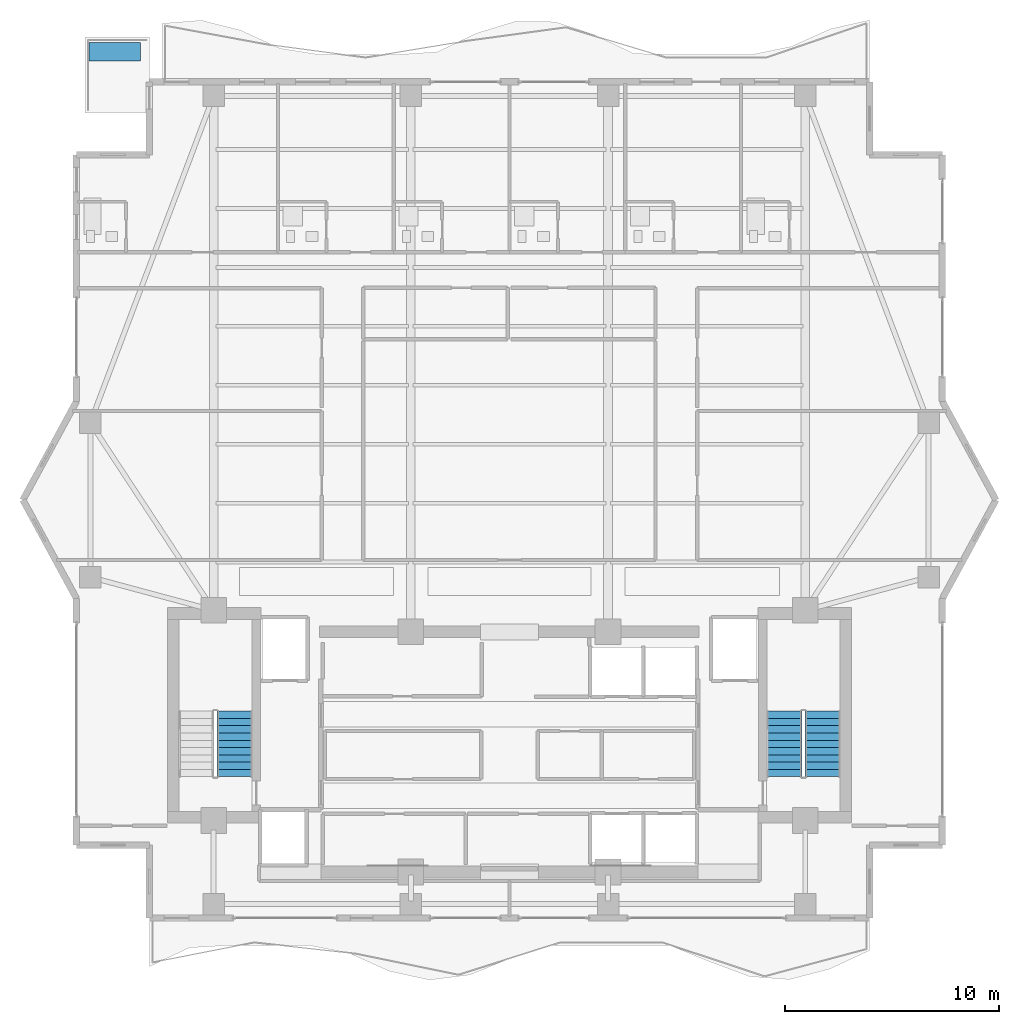
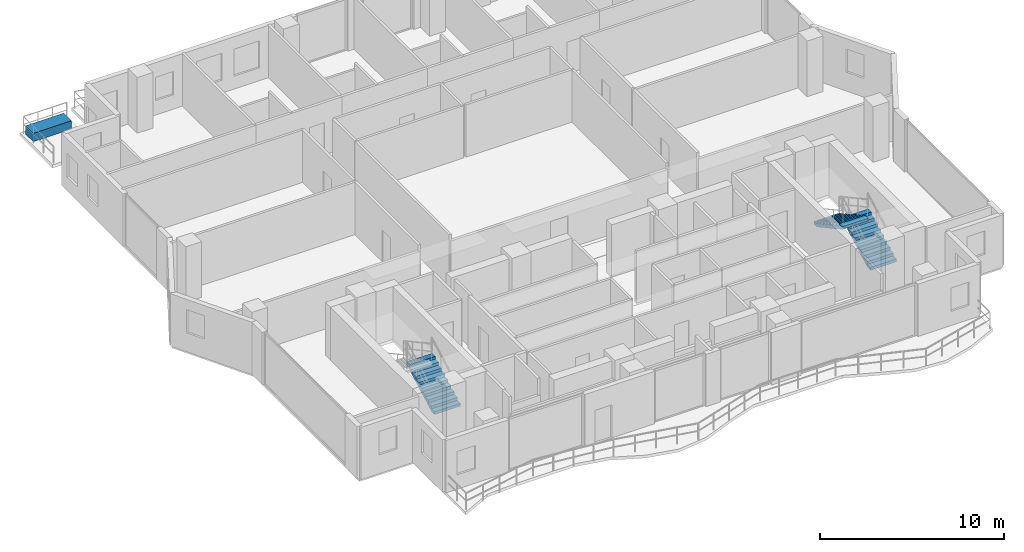
# One storey, part 21 of 24: 3 stair flights, 1 building element part, 2 elements without a shape of their own.
"""IFC4 building model written with IfcOpenShell, lengths in metres."""

from ifc_helpers import new_model, si_unit, direction, frame, origin, origin_2d, place, context, subcontext, project, spatial, polyline, rectangle, outline, extrude, material, layer, layer_set, type_object, element, aggregate, save


model = new_model("IFC4")

# Units and contexts
model_context = context("Model", 3, precision=1e-05, world=origin(), true_north=direction((0.0, 1.0)))
body_context = subcontext(model_context, "Body", "Model", "MODEL_VIEW")
ifc_project = project(units=[si_unit("LENGTHUNIT", "METRE"), si_unit("AREAUNIT", "SQUARE_METRE"), si_unit("VOLUMEUNIT", "CUBIC_METRE"), si_unit("PLANEANGLEUNIT", "RADIAN"), si_unit("MASSUNIT", "GRAM", prefix="KILO")], contexts=[model_context])

# Site, building, storey
site_placement = place(None, origin())
site = spatial("IfcSite", under=ifc_project, at=site_placement, CompositionType="ELEMENT")
building_placement = place(site_placement, origin())
building = spatial("IfcBuilding", under=site, at=building_placement, Name="Zuhayl Quay Hotel", CompositionType="ELEMENT")
storey_placement = place(building_placement, frame((0.0, 0.0, 276.64990234375)))
storey = spatial("IfcBuildingStorey", under=building, at=storey_placement, Name="L70", CompositionType="ELEMENT", Elevation=276.64990234375)

# Stair, stair flight
ifc_material_1 = material(Name="Concrete C45/55", Category="concrete")
stair_type = type_object("IfcStairType", Name="ST_DOGLEG_TOWER", PredefinedType="HALF_TURN_STAIR", material=ifc_material_1)
stair_1_placement = place(storey_placement, origin())
stair_1 = element("IfcStair", 1, at=stair_1_placement, inside=storey, type_object=stair_type, Name="L70 Smokeproof Exit Stair ST1", PredefinedType="HALF_TURN_STAIR")
ifc_layer_1 = layer(ifc_material_1, 0.159912109375, Name="Concrete C45/55", Category="concrete")
ifc_layer_set_1 = layer_set([ifc_layer_1], Name="Concrete C45/55")
stair_flight_type = type_object("IfcStairFlightType", Name="SF_CONC_164", PredefinedType="STRAIGHT", material=ifc_layer_set_1)
stair_flight_1_placement = place(storey_placement, frame((-12.820068359375, 6.590087890625, 0.0), z_axis=(0.0, 0.0, 1.0), x_axis=(0.0, 1.0, 0.0)))
stair_flight_1 = element("IfcStairFlight", 2, at=stair_flight_1_placement, type_object=stair_flight_type, Name="ST1 flight 1", NumberOfRisers=10, NumberOfTreads=9, PredefinedType="STRAIGHT", RiserHeight=0.185, TreadLength=0.34, context=body_context, shape_type="SweptSolid", body=[
    extrude(outline(polyline([(0.0, 0.0), (0.0, 0.18505859375), (0.340087890625, 0.18505859375), (0.340087890625, 0.3701171875), (0.679931640625, 0.3701171875), (0.679931640625, 0.554931640625), (1.02001953125, 0.554931640625), (1.02001953125, 0.739990234375), (1.360107421875, 0.739990234375), (1.360107421875, 0.925048828125), (1.699951171875, 0.925048828125), (1.699951171875, 1.110107421875), (2.0400390625, 1.110107421875), (2.0400390625, 1.294921875), (2.3798828125, 1.294921875), (2.3798828125, 1.47998046875), (2.719970703125, 1.47998046875), (2.719970703125, 1.6650390625), (3.06005859375, 1.6650390625), (3.06005859375, 1.85009765625), (3.06005859375, 1.494384765625), (0.313720703125, 0.0), (0.0, 0.0)])), frame((0.0, 0.81982421875, 0.0), z_axis=(0.0, -1.0, 0.0), x_axis=(1.0, 0.0, 0.0)), (0.0, 0.0, 1.0), 1.639892578125),
])
aggregate(stair_1, [stair_flight_1])

# Stair, stair flights
stair_2_placement = place(storey_placement, origin())
stair_2 = element("IfcStair", 3, at=stair_2_placement, inside=storey, type_object=stair_type, Name="L70 Smokeproof Exit Stair ST2", PredefinedType="HALF_TURN_STAIR")
stair_flight_2_placement = place(storey_placement, frame((14.610107421875, 6.590087890625, 0.0), z_axis=(0.0, 0.0, 1.0), x_axis=(0.0, 1.0, 0.0)))
stair_flight_2 = element("IfcStairFlight", 4, at=stair_flight_2_placement, type_object=stair_flight_type, Name="ST2 flight 1", NumberOfRisers=10, NumberOfTreads=9, PredefinedType="STRAIGHT", RiserHeight=0.185, TreadLength=0.34, context=body_context, shape_type="SweptSolid", body=[
    extrude(outline(polyline([(0.0, 0.0), (0.0, 0.18505859375), (0.340087890625, 0.18505859375), (0.340087890625, 0.3701171875), (0.679931640625, 0.3701171875), (0.679931640625, 0.554931640625), (1.02001953125, 0.554931640625), (1.02001953125, 0.739990234375), (1.360107421875, 0.739990234375), (1.360107421875, 0.925048828125), (1.699951171875, 0.925048828125), (1.699951171875, 1.110107421875), (2.0400390625, 1.110107421875), (2.0400390625, 1.294921875), (2.3798828125, 1.294921875), (2.3798828125, 1.47998046875), (2.719970703125, 1.47998046875), (2.719970703125, 1.6650390625), (3.06005859375, 1.6650390625), (3.06005859375, 1.85009765625), (3.06005859375, 1.494384765625), (0.313720703125, 0.0), (0.0, 0.0)])), frame((0.0, 0.81982421875, 0.0), z_axis=(0.0, -1.0, 0.0), x_axis=(1.0, 0.0, 0.0)), (0.0, 0.0, 1.0), 1.639892578125),
])
stair_flight_3_placement = place(storey_placement, frame((12.820068359375, 9.64990234375, 1.85009765625), z_axis=(0.0, 0.0, 1.0), x_axis=(0.0, -1.0, 0.0)))
stair_flight_3 = element("IfcStairFlight", 5, at=stair_flight_3_placement, type_object=stair_flight_type, Name="ST2 flight 2", NumberOfRisers=10, NumberOfTreads=9, PredefinedType="STRAIGHT", RiserHeight=0.185, TreadLength=0.34, context=body_context, shape_type="SweptSolid", body=[
    extrude(outline(polyline([(0.0, 0.0), (0.0, 0.18505859375), (0.340087890625, 0.18505859375), (0.340087890625, 0.3701171875), (0.679931640625, 0.3701171875), (0.679931640625, 0.554931640625), (1.02001953125, 0.554931640625), (1.02001953125, 0.739990234375), (1.360107421875, 0.739990234375), (1.360107421875, 0.925048828125), (1.699951171875, 0.925048828125), (1.699951171875, 1.110107421875), (2.0400390625, 1.110107421875), (2.0400390625, 1.294921875), (2.3798828125, 1.294921875), (2.3798828125, 1.47998046875), (2.719970703125, 1.47998046875), (2.719970703125, 1.6650390625), (3.06005859375, 1.6650390625), (3.06005859375, 1.85009765625), (3.06005859375, 1.494384765625), (0.313720703125, 0.0), (0.0, 0.0)])), frame((0.0, 0.81982421875, 0.0), z_axis=(0.0, -1.0, 0.0), x_axis=(1.0, 0.0, 0.0)), (0.0, 0.0, 1.0), 1.639892578125),
])
aggregate(stair_2, [stair_flight_2, stair_flight_3])

# Building element part
ifc_material_2 = material(Name="Precast concrete C45/55", Category="concrete")
ifc_layer_2 = layer(ifc_material_2, 0.550048828125, Name="Precast concrete C45/55", Category="concrete")
ifc_layer_set_2 = layer_set([ifc_layer_2], Name="Precast concrete C45/55")
building_element_part_type = type_object("IfcBuildingElementPartType", Name="PT_PLANTER_KERB", PredefinedType="PRECASTPANEL", material=ifc_layer_set_2)
building_element_part_placement = place(storey_placement, frame((-18.409912109375, 40.409912109375, 0.0), z_axis=(0.0, 0.0, 1.0), x_axis=(1.0, 0.0, 0.0)))
element("IfcBuildingElementPart", 6, at=building_element_part_placement, inside=storey, type_object=building_element_part_type, Name="L70 Spiral Sky-Terrace Planter Box NW", PredefinedType="PRECASTPANEL", context=body_context, shape_type="SweptSolid", body=[
    extrude(rectangle(XDim=2.39990234375, YDim=0.85009765625, at=origin_2d()), origin(), (0.0, 0.0, 1.0), 0.550048828125),
])

save(model, "model.ifc")
